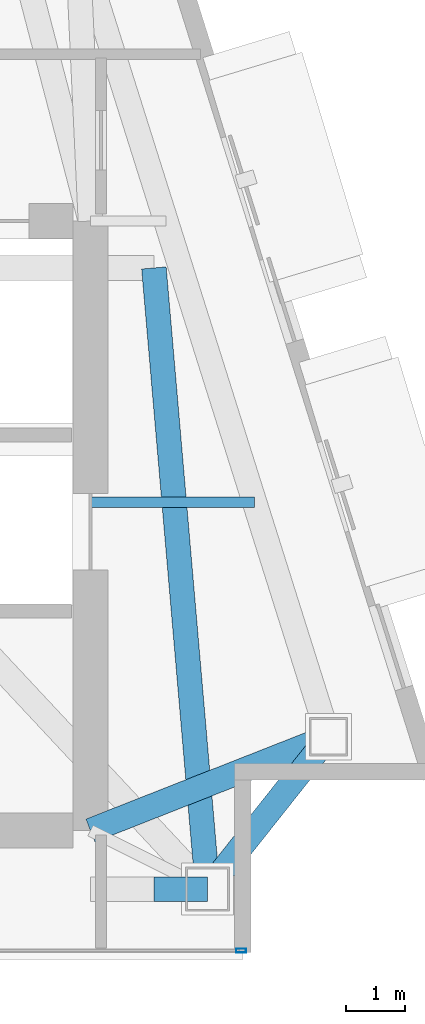
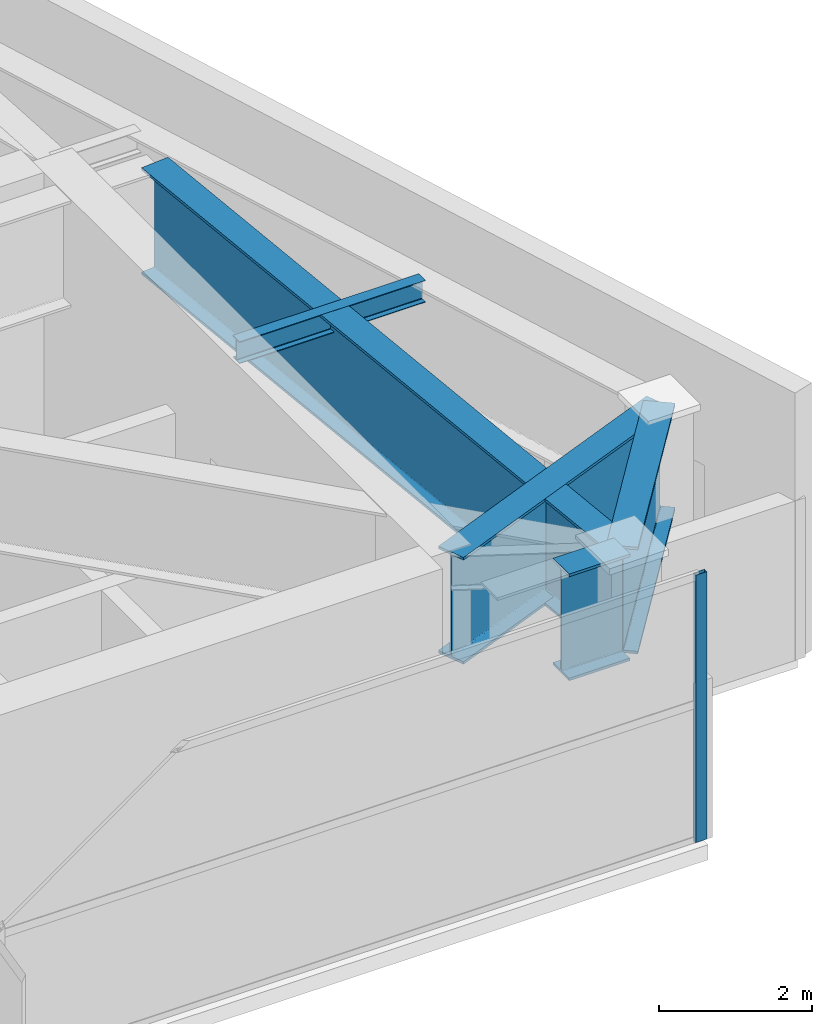
# One storey, part 12 of 25: 5 beams, 1 member, 1 element without a shape of its own.
"""IFC4 building model written with IfcOpenShell, lengths in metres."""

from ifc_helpers import new_model, si_unit, direction, frame, origin, origin_2d, place, context, subcontext, project, spatial, hollow_rectangle, i_section, extrude, material, layer, layer_set, material_profile, profile_set, type_object, element, aggregate, save


model = new_model("IFC4")

# Units and contexts
model_context = context("Model", 3, precision=1e-05, world=origin(), true_north=direction((0.0, 1.0)))
body_context = subcontext(model_context, "Body", "Model", "MODEL_VIEW")
ifc_project = project(units=[si_unit("LENGTHUNIT", "METRE"), si_unit("AREAUNIT", "SQUARE_METRE"), si_unit("VOLUMEUNIT", "CUBIC_METRE"), si_unit("PLANEANGLEUNIT", "RADIAN"), si_unit("MASSUNIT", "GRAM", prefix="KILO")], contexts=[model_context])

# Site, building, storey
site_placement = place(None, origin())
site = spatial("IfcSite", under=ifc_project, at=site_placement, CompositionType="ELEMENT")
building_placement = place(site_placement, origin())
building = spatial("IfcBuilding", under=site, at=building_placement, Name="Calvorn Quay Hotel", CompositionType="ELEMENT")
storey_placement = place(building_placement, frame((0.0, 0.0, 316.0)))
storey = spatial("IfcBuildingStorey", under=building, at=storey_placement, Name="L78", CompositionType="ELEMENT", Elevation=316.0)

# Beams
ifc_material_1 = material(Name="Steel Q355B", Category="steel")
ifc_material_profile_1 = material_profile(ifc_material_1, i_section(OverallWidth=0.175048828125, OverallDepth=0.35009765625, WebThickness=0.007080078125, FlangeThickness=0.010986328125, FilletRadius=0.013916015625, at=origin_2d()), Name="HN350x175x7x11")
ifc_profile_set_1 = profile_set([ifc_material_profile_1], Name="Steel Q355B")
beam_type_1 = type_object("IfcBeamType", Name="BM-JOIST-SEC", PredefinedType="JOIST", material=ifc_profile_set_1)
beam_1_placement = place(storey_placement, frame((32.39990234375, 10.199951171875, 4.06494140625), z_axis=(1.0, 0.0, 0.0), x_axis=(0.0, 1.0, 0.0)))
element("IfcBeam", 1, at=beam_1_placement, inside=storey, type_object=beam_type_1, Name="Beam BJ-L78-E1", PredefinedType="JOIST", context=body_context, shape_type="SweptSolid", body=[
    extrude(i_section(OverallWidth=0.175048828125, OverallDepth=0.35009765625, WebThickness=0.007080078125, FlangeThickness=0.010986328125, FilletRadius=0.013916015625, at=origin_2d()), origin(), (0.0, 0.0, 1.0), 2.801025390625),
])
ifc_material_2 = material(Name="Steel Q420GJC", Category="steel")
ifc_material_profile_2 = material_profile(ifc_material_2, i_section(OverallWidth=0.419921875, OverallDepth=1.699951171875, WebThickness=0.02392578125, FlangeThickness=0.0419921875, FilletRadius=0.02392578125, at=origin_2d()), Name="HN1700x420x24x42")
ifc_profile_set_2 = profile_set([ifc_material_profile_2], Name="Steel Q420GJC")
beam_type_2 = type_object("IfcBeamType", Name="BM-XFER-SAWTOOTH", PredefinedType="BEAM", material=ifc_profile_set_2)
beam_2_placement = place(storey_placement, frame((33.48291015625, 3.60009765625, 3.389892578125), z_axis=(1.0, 0.0, 0.0), x_axis=(0.0, 1.0, 0.0)))
element("IfcBeam", 2, at=beam_2_placement, inside=storey, type_object=beam_type_2, Name="Beam BTG-L78-C-CR1B", PredefinedType="BEAM", context=body_context, shape_type="SweptSolid", body=[
    extrude(i_section(OverallWidth=0.419921875, OverallDepth=1.699951171875, WebThickness=0.02392578125, FlangeThickness=0.0419921875, FilletRadius=0.02392578125, at=origin_2d()), origin(), (0.0, 0.0, 1.0), 0.9169921875),
])
beam_3_placement = place(storey_placement, frame((33.48291015625, 14.199951171875, 3.389892578125), z_axis=(0.08618797985, -0.996278892745, 0.0), x_axis=(0.996278892745, 0.08618797985, 0.0)))
element("IfcBeam", 3, at=beam_3_placement, inside=storey, type_object=beam_type_2, Name="Beam BTG-L78-C-CR2B", PredefinedType="BEAM", context=body_context, shape_type="SweptSolid", body=[
    extrude(i_section(OverallWidth=0.419921875, OverallDepth=1.699951171875, WebThickness=0.02392578125, FlangeThickness=0.0419921875, FilletRadius=0.02392578125, at=origin_2d()), origin(), (0.0, 0.0, 1.0), 10.639404296875),
])
beam_4_placement = place(storey_placement, frame((34.39990234375, 3.60009765625, 3.389892578125), z_axis=(0.621224908236, 0.78363232028, 0.0), x_axis=(-0.78363232028, 0.621224908236, 0.0)))
element("IfcBeam", 4, at=beam_4_placement, inside=storey, type_object=beam_type_2, Name="Beam BSP-L78-S4", PredefinedType="BEAM", context=body_context, shape_type="SweptSolid", body=[
    extrude(i_section(OverallWidth=0.419921875, OverallDepth=1.699951171875, WebThickness=0.02392578125, FlangeThickness=0.0419921875, FilletRadius=0.02392578125, at=origin_2d()), origin(), (0.0, 0.0, 1.0), 3.317626953125),
])
beam_5_placement = place(storey_placement, frame((32.39990234375, 4.60009765625, 3.389892578125), z_axis=(0.930404346668, 0.36653478921, 0.0), x_axis=(-0.36653478921, 0.930404346668, 0.0)))
element("IfcBeam", 5, at=beam_5_placement, inside=storey, type_object=beam_type_2, Name="Beam BTG-L78-01", PredefinedType="BEAM", context=body_context, shape_type="SweptSolid", body=[
    extrude(i_section(OverallWidth=0.419921875, OverallDepth=1.699951171875, WebThickness=0.02392578125, FlangeThickness=0.0419921875, FilletRadius=0.02392578125, at=origin_2d()), origin(), (0.0, 0.0, 1.0), 4.36474609375),
])

# Curtain wall, member
ifc_material_3 = material(Name="Champagne Bronze Anodised Aluminium and Low-E Glass", Category="aluminium")
ifc_layer = layer(ifc_material_3, 0.219970703125)
ifc_layer_set = layer_set([ifc_layer], Name="CW-SYS-Z4")
curtain_wall_type = type_object("IfcCurtainWallType", Name="CW-SYS-Z4", PredefinedType="NOTDEFINED", material=ifc_layer_set)
curtain_wall_placement = place(storey_placement, origin())
curtain_wall = element("IfcCurtainWall", 6, at=curtain_wall_placement, inside=storey, type_object=curtain_wall_type, Name="Tower South Waterfront Curtain Wall (L78)", PredefinedType="NOTDEFINED")
ifc_material_4 = material(Name="Champagne Bronze Anodised Aluminium 6063-T6", Category="aluminium")
ifc_material_profile_3 = material_profile(ifc_material_4, hollow_rectangle(XDim=0.06494140625, YDim=0.169921875, WallThickness=0.00341796875, at=origin_2d()), Name="ALU-M170x65x3.5")
ifc_profile_set_3 = profile_set([ifc_material_profile_3], Name="Champagne Bronze Anodised Aluminium 6063-T6")
member_type = type_object("IfcMemberType", Name="CW-SYS-Z4-MUL", PredefinedType="MULLION", material=ifc_profile_set_3)
member_placement = place(storey_placement, frame((34.969970703125, 2.550048828125, 0.0), z_axis=(0.0, 0.0, 1.0), x_axis=(0.0, 1.0, 0.0)))
member = element("IfcMember", 7, at=member_placement, type_object=member_type, Name="CW-L78-S mullion 4", PredefinedType="MULLION", context=body_context, shape_type="SweptSolid", body=[
    extrude(hollow_rectangle(XDim=0.06494140625, YDim=0.169921875, WallThickness=0.00341796875, at=origin_2d()), origin(), (0.0, 0.0, 1.0), 4.260009765625),
])
aggregate(curtain_wall, [member])

save(model, "model.ifc")
